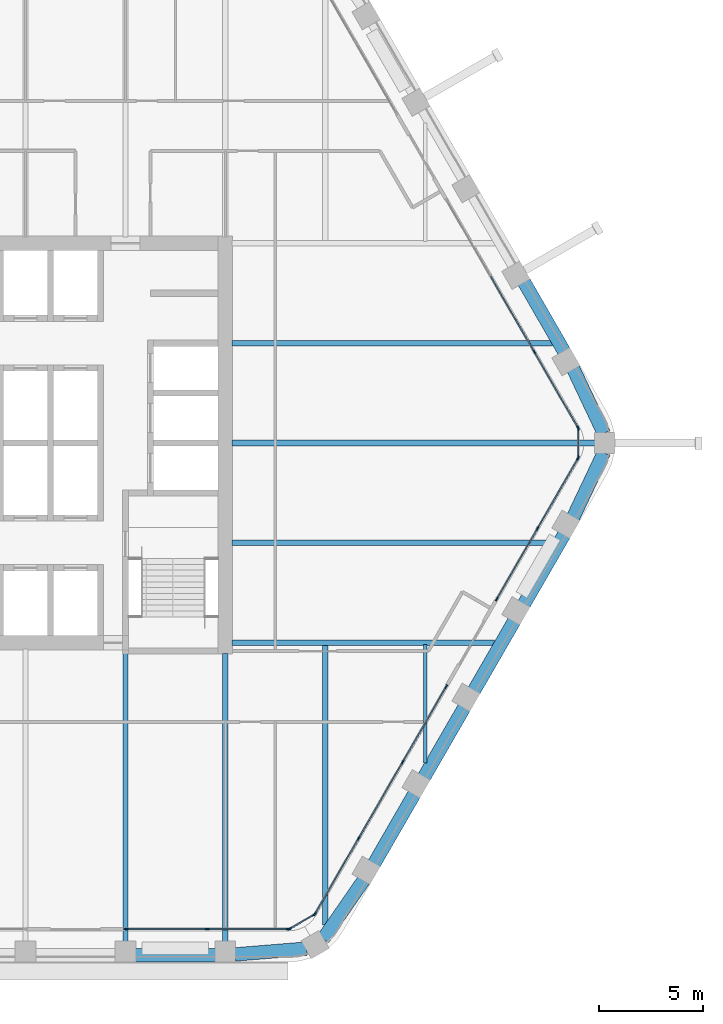
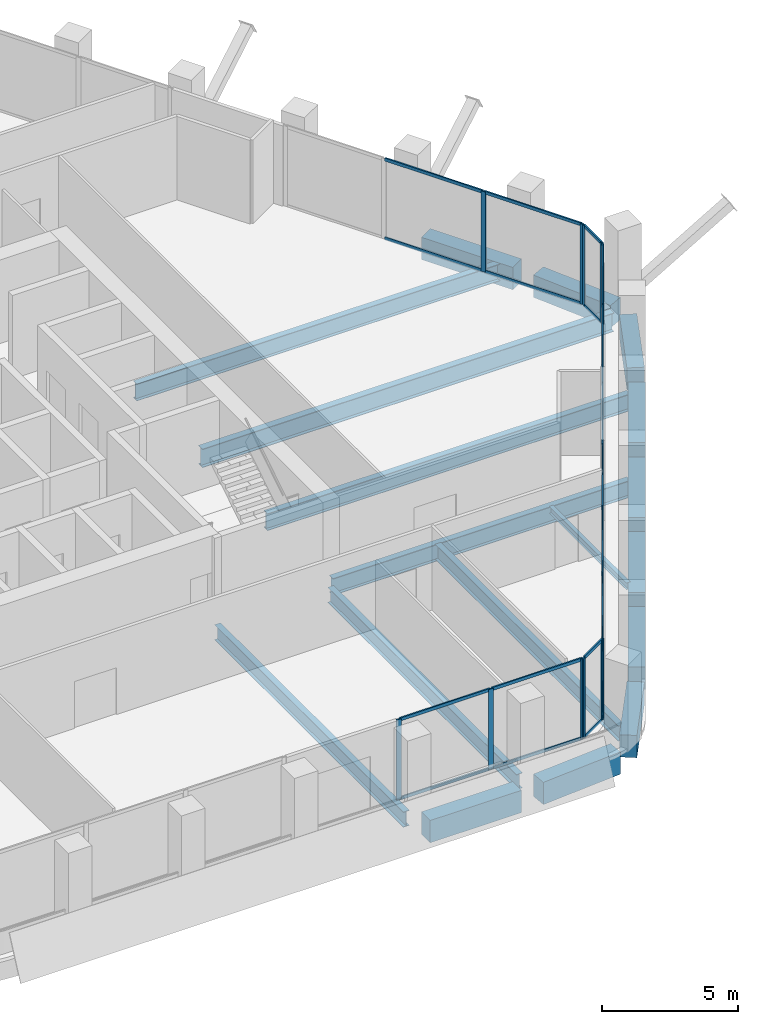
# One storey, part 4 of 16: 38 members, 18 beams, 6 elements without a shape of their own.
"""IFC4 building model written with IfcOpenShell, lengths in metres."""

from ifc_helpers import new_model, si_unit, direction, frame, origin, origin_2d, place, context, subcontext, project, spatial, rectangle, i_section, extrude, material, material_profile, profile_set, type_object, element, aggregate, save


model = new_model("IFC4")

# Units and contexts
model_context = context("Model", 3, precision=1e-05, world=origin(), true_north=direction((0.0, 1.0)))
body_context = subcontext(model_context, "Body", "Model", "MODEL_VIEW")
ifc_project = project(units=[si_unit("LENGTHUNIT", "METRE"), si_unit("AREAUNIT", "SQUARE_METRE"), si_unit("VOLUMEUNIT", "CUBIC_METRE"), si_unit("PLANEANGLEUNIT", "RADIAN"), si_unit("MASSUNIT", "GRAM", prefix="KILO")], contexts=[model_context])

# Site, building, storey
site_placement = place(None, origin())
site = spatial("IfcSite", under=ifc_project, at=site_placement, CompositionType="ELEMENT")
building_placement = place(site_placement, origin())
building = spatial("IfcBuilding", under=site, at=building_placement, Name="Kolab Exchange Tower", CompositionType="ELEMENT")
storey_placement = place(building_placement, frame((0.0, 0.0, 162.199951171875)))
storey = spatial("IfcBuildingStorey", under=building, at=storey_placement, Name="L33", CompositionType="ELEMENT", Elevation=162.199951171875)

# Beams
ifc_material_1 = material(Name="Steel S355", Category="steel")
ifc_material_profile_1 = material_profile(ifc_material_1, i_section(OverallWidth=0.1650390625, OverallDepth=0.31005859375, WebThickness=0.005859375, FlangeThickness=0.009765625, at=origin_2d()), Name="W310X39")
ifc_profile_set_1 = profile_set([ifc_material_profile_1], Name="Steel S355")
beam_type_1 = type_object("IfcBeamType", Name="FLOOR BEAM W310X39", PredefinedType="BEAM", material=ifc_profile_set_1)
beam_1_placement = place(storey_placement, frame((19.199951171875, -15.36767578125, -0.304931640625), z_axis=(0.0, 1.0, 0.0), x_axis=(-1.0, 0.0, 0.0)))
element("IfcBeam", 1, at=beam_1_placement, inside=storey, type_object=beam_type_1, Name="beam/L33/fr/022", PredefinedType="BEAM", context=body_context, shape_type="SweptSolid", body=[
    extrude(i_section(OverallWidth=0.1650390625, OverallDepth=0.31005859375, WebThickness=0.005859375, FlangeThickness=0.009765625, at=origin_2d()), origin(), (0.0, 0.0, 1.0), 5.674072265625),
])
ifc_material_profile_2 = material_profile(ifc_material_1, i_section(OverallWidth=0.25390625, OverallDepth=0.68408203125, WebThickness=0.012451171875, FlangeThickness=0.018798828125, at=origin_2d()), Name="W690X140")
ifc_profile_set_2 = profile_set([ifc_material_profile_2], Name="Steel S355")
beam_type_2 = type_object("IfcBeamType", Name="FLOOR BEAM W690X140", PredefinedType="BEAM", material=ifc_profile_set_2)
for number, where, z_axis, x_axis, name in (
    (2, (4.800048828125, -23.9814453125, -0.491943359375), (0.0, 1.0, 0.0), (-1.0, 0.0, 0.0), "beam/L33/fr/013"),
    (3, (9.60009765625, -23.9814453125, -0.491943359375), (0.0, 1.0, 0.0), (-1.0, 0.0, 0.0), "beam/L33/fr/015"),
):
    element("IfcBeam", number, at=place(storey_placement, frame(where, z_axis=z_axis, x_axis=x_axis)), inside=storey, type_object=beam_type_2, Name=name, PredefinedType="BEAM", context=body_context, shape_type="SweptSolid", body=[
        extrude(i_section(OverallWidth=0.25390625, OverallDepth=0.68408203125, WebThickness=0.012451171875, FlangeThickness=0.018798828125, at=origin_2d()), origin(), (0.0, 0.0, 1.0), 13.871337890625),
    ])
beam_2_placement = place(storey_placement, frame((14.39990234375, -23.15576171875, -0.491943359375), z_axis=(0.0, 1.0, 0.0), x_axis=(-1.0, 0.0, 0.0)))
element("IfcBeam", 4, at=beam_2_placement, inside=storey, type_object=beam_type_2, Name="beam/L33/fr/020", PredefinedType="BEAM", context=body_context, shape_type="SweptSolid", body=[
    extrude(i_section(OverallWidth=0.25390625, OverallDepth=0.68408203125, WebThickness=0.012451171875, FlangeThickness=0.018798828125, at=origin_2d()), origin(), (0.0, 0.0, 1.0), 13.462158203125),
])
ifc_material_profile_3 = material_profile(ifc_material_1, i_section(OverallWidth=0.26708984375, OverallDepth=0.761962890625, WebThickness=0.014404296875, FlangeThickness=0.021484375, at=origin_2d()), Name="W760X173")
ifc_profile_set_3 = profile_set([ifc_material_profile_3], Name="Steel S355")
beam_type_3 = type_object("IfcBeamType", Name="FLOOR BEAM W760X173", PredefinedType="BEAM", material=ifc_profile_set_3)
for number, where, z_axis, x_axis, name in (
    (5, (9.909912109375, -4.800048828125, -0.531005859375), (1.0, 0.0, 0.0), (0.0, 1.0, 0.0), "beam/L33/fr/017"),
    (6, (9.909912109375, 4.800048828125, -0.531005859375), (1.0, 0.0, 0.0), (0.0, 1.0, 0.0), "beam/L33/fr/019"),
):
    element("IfcBeam", number, at=place(storey_placement, frame(where, z_axis=z_axis, x_axis=x_axis)), inside=storey, type_object=beam_type_3, Name=name, PredefinedType="BEAM", context=body_context, shape_type="SweptSolid", body=[
        extrude(i_section(OverallWidth=0.26708984375, OverallDepth=0.761962890625, WebThickness=0.014404296875, FlangeThickness=0.021484375, at=origin_2d()), origin(), (0.0, 0.0, 1.0), 15.408203125),
    ])
ifc_material_profile_4 = material_profile(ifc_material_1, i_section(OverallWidth=0.2919921875, OverallDepth=0.840087890625, WebThickness=0.0146484375, FlangeThickness=0.021728515625, at=origin_2d()), Name="W840X193")
ifc_profile_set_4 = profile_set([ifc_material_profile_4], Name="Steel S355")
beam_type_4 = type_object("IfcBeamType", Name="FLOOR BEAM W840X193", PredefinedType="BEAM", material=ifc_profile_set_4)
beam_3_placement = place(storey_placement, frame((9.909912109375, 0.0, -0.570068359375), z_axis=(1.0, 0.0, 0.0), x_axis=(0.0, 1.0, 0.0)))
element("IfcBeam", 7, at=beam_3_placement, inside=storey, type_object=beam_type_4, Name="beam/L33/fr/018", PredefinedType="BEAM", context=body_context, shape_type="SweptSolid", body=[
    extrude(i_section(OverallWidth=0.2919921875, OverallDepth=0.840087890625, WebThickness=0.0146484375, FlangeThickness=0.021728515625, at=origin_2d()), origin(), (0.0, 0.0, 1.0), 17.466064453125),
])
ifc_material_profile_5 = material_profile(ifc_material_1, i_section(OverallWidth=0.26708984375, OverallDepth=0.761962890625, WebThickness=0.014404296875, FlangeThickness=0.021484375, at=origin_2d()), Name="W760X173")
ifc_profile_set_5 = profile_set([ifc_material_profile_5], Name="Steel S355")
beam_type_5 = type_object("IfcBeamType", Name="FLOOR GIRDER W760X173", PredefinedType="BEAM", material=ifc_profile_set_5)
beam_4_placement = place(storey_placement, frame((9.909912109375, -9.60009765625, -0.531005859375), z_axis=(1.0, 0.0, 0.0), x_axis=(0.0, 1.0, 0.0)))
element("IfcBeam", 8, at=beam_4_placement, inside=storey, type_object=beam_type_5, Name="beam/L33/gd/002", PredefinedType="BEAM", context=body_context, shape_type="SweptSolid", body=[
    extrude(i_section(OverallWidth=0.26708984375, OverallDepth=0.761962890625, WebThickness=0.014404296875, FlangeThickness=0.021484375, at=origin_2d()), origin(), (0.0, 0.0, 1.0), 12.636962890625),
])
ifc_material_2 = material(Name="Concrete C60/75", Category="concrete")
ifc_material_profile_6 = material_profile(ifc_material_2, rectangle(XDim=0.64990234375, YDim=1.0, at=origin_2d()), Name="RC650X1000")
ifc_profile_set_6 = profile_set([ifc_material_profile_6], Name="Concrete C60/75")
beam_type_6 = type_object("IfcBeamType", Name="SPANDREL BEAM 650X1000 C60/75", PredefinedType="BEAM", material=ifc_profile_set_6)
beam_5_placement = place(storey_placement, frame((23.948486328125, 7.7529296875, -0.64990234375), z_axis=(0.499996613652, -0.866027358884, 0.0), x_axis=(0.866027358884, 0.499996613652, 0.0)))
element("IfcBeam", 9, at=beam_5_placement, inside=storey, type_object=beam_type_6, Name="beam/L33/sp/F2-05", PredefinedType="BEAM", context=body_context, shape_type="SweptSolid", body=[
    extrude(rectangle(XDim=0.64990234375, YDim=1.0, at=origin_2d()), origin(), (0.0, 0.0, 1.0), 3.8798828125),
])
for number, where, z_axis, x_axis, name in (
    (10, (26.316162109375, 3.5771484375, -0.64990234375), (0.428177731975, -0.903694544545, 0.0), (0.903694544545, 0.428177731975, 0.0), "beam/L33/sp/F2-06"),
    (11, (27.791259765625, -0.4638671875, -0.64990234375), (-0.428177731975, -0.903694544545, 0.0), (0.903694544545, -0.428177731975, 0.0), "beam/L33/sp/F3-01"),
):
    element("IfcBeam", number, at=place(storey_placement, frame(where, z_axis=z_axis, x_axis=x_axis)), inside=storey, type_object=beam_type_6, Name=name, PredefinedType="BEAM", context=body_context, shape_type="SweptSolid", body=[
        extrude(rectangle(XDim=0.64990234375, YDim=1.0, at=origin_2d()), origin(), (0.0, 0.0, 1.0), 3.445068359375),
    ])
for number, where, z_axis, x_axis, name in (
    (12, (25.888427734375, -4.392822265625, -0.64990234375), (-0.499996613652, -0.866027358884, 0.0), (0.866027358884, -0.499996613652, 0.0), "beam/L33/sp/F3-02"),
    (13, (23.488525390625, -8.5498046875, -0.64990234375), (-0.499996613652, -0.866027358884, 0.0), (0.866027358884, -0.499996613652, 0.0), "beam/L33/sp/F3-03"),
):
    element("IfcBeam", number, at=place(storey_placement, frame(where, z_axis=z_axis, x_axis=x_axis)), inside=storey, type_object=beam_type_6, Name=name, PredefinedType="BEAM", context=body_context, shape_type="SweptSolid", body=[
        extrude(rectangle(XDim=0.64990234375, YDim=1.0, at=origin_2d()), origin(), (0.0, 0.0, 1.0), 3.8798828125),
    ])
beam_6_placement = place(storey_placement, frame((21.088623046875, -12.70654296875, -0.64990234375), z_axis=(-0.50001655835, -0.866015843605, 0.0), x_axis=(0.866015843605, -0.50001655835, 0.0)))
element("IfcBeam", 14, at=beam_6_placement, inside=storey, type_object=beam_type_6, Name="beam/L33/sp/F3-04", PredefinedType="BEAM", context=body_context, shape_type="SweptSolid", body=[
    extrude(rectangle(XDim=0.64990234375, YDim=1.0, at=origin_2d()), origin(), (0.0, 0.0, 1.0), 3.880126953125),
])
beam_7_placement = place(storey_placement, frame((18.6884765625, -16.863525390625, -0.64990234375), z_axis=(-0.499996613652, -0.866027358884, 0.0), x_axis=(0.866027358884, -0.499996613652, 0.0)))
element("IfcBeam", 15, at=beam_7_placement, inside=storey, type_object=beam_type_6, Name="beam/L33/sp/F3-05", PredefinedType="BEAM", context=body_context, shape_type="SweptSolid", body=[
    extrude(rectangle(XDim=0.64990234375, YDim=1.0, at=origin_2d()), origin(), (0.0, 0.0, 1.0), 3.8798828125),
])
for number, where, z_axis, x_axis, name in (
    (16, (16.256103515625, -21.001953125, -0.64990234375), (-0.568572281073, -0.822633309073, 0.0), (0.822633309073, -0.568572281073, 0.0), "beam/L33/sp/F3-06"),
    (17, (13.493896484375, -24.2998046875, -0.64990234375), (-0.996708497182, -0.081068931445, 0.0), (0.081068931445, -0.996708497182, 0.0), "beam/L33/sp/F4-01"),
):
    element("IfcBeam", number, at=place(storey_placement, frame(where, z_axis=z_axis, x_axis=x_axis)), inside=storey, type_object=beam_type_6, Name=name, PredefinedType="BEAM", context=body_context, shape_type="SweptSolid", body=[
        extrude(rectangle(XDim=0.64990234375, YDim=1.0, at=origin_2d()), origin(), (0.0, 0.0, 1.0), 3.445068359375),
    ])
beam_8_placement = place(storey_placement, frame((9.139892578125, -24.616455078125, -0.64990234375), z_axis=(-1.0, 0.0, 0.0), x_axis=(0.0, -1.0, 0.0)))
element("IfcBeam", 18, at=beam_8_placement, inside=storey, type_object=beam_type_6, Name="beam/L33/sp/F4-02", PredefinedType="BEAM", context=body_context, shape_type="SweptSolid", body=[
    extrude(rectangle(XDim=0.64990234375, YDim=1.0, at=origin_2d()), origin(), (0.0, 0.0, 1.0), 3.8798828125),
])

# Curtain wall, members
ifc_material_3 = material(Name="Aluminium EN AW-6063 T6", Category="aluminium")
curtain_wall_type = type_object("IfcCurtainWallType", Name="UNITISED UPPER MID ZONE CURTAIN WALL", PredefinedType="NOTDEFINED", material=ifc_material_3)
curtain_wall_1_placement = place(storey_placement, origin())
curtain_wall_1 = element("IfcCurtainWall", 19, at=curtain_wall_1_placement, inside=storey, type_object=curtain_wall_type, Name="cw/L33/F2-2", PredefinedType="NOTDEFINED")
ifc_material_profile_7 = material_profile(ifc_material_3, rectangle(XDim=0.06005859375, YDim=0.199951171875, at=origin_2d()), Name="RECT 60X200")
ifc_profile_set_7 = profile_set([ifc_material_profile_7], Name="Aluminium EN AW-6063 T6")
member_type_1 = type_object("IfcMemberType", Name="UNITISED UPPER MID ZONE MULLION 60 X 200", PredefinedType="MULLION", material=ifc_profile_set_7)
member_1_placement = place(storey_placement, frame((24.454345703125, 4.366943359375, 0.0), z_axis=(0.0, 0.0, 1.0), x_axis=(0.866025427826, 0.499999958358, 0.0)))
member_1 = element("IfcMember", 20, at=member_1_placement, type_object=member_type_1, Name="CW3 mullion 3", PredefinedType="MULLION", context=body_context, shape_type="SweptSolid", body=[
    extrude(rectangle(XDim=0.06005859375, YDim=0.199951171875, at=origin_2d()), origin(), (0.0, 0.0, 1.0), 3.60009765625),
])
member_2_placement = place(storey_placement, frame((26.550537109375, 0.736083984375, 0.0), z_axis=(0.0, 0.0, 1.0), x_axis=(0.866025427826, 0.499999958358, 0.0)))
member_2 = element("IfcMember", 21, at=member_2_placement, type_object=member_type_1, Name="CW3 mullion 4", PredefinedType="MULLION", context=body_context, shape_type="SweptSolid", body=[
    extrude(rectangle(XDim=0.06005859375, YDim=0.199951171875, at=origin_2d()), origin(), (0.0, 0.0, 1.0), 3.60009765625),
])

curtain_wall_2_placement = place(storey_placement, origin())
curtain_wall_2 = element("IfcCurtainWall", 22, at=curtain_wall_2_placement, inside=storey, type_object=curtain_wall_type, Name="cw/L33/F3-1", PredefinedType="NOTDEFINED")
member_3_placement = place(storey_placement, frame((26.550537109375, -0.736083984375, 0.0), z_axis=(0.0, 0.0, 1.0), x_axis=(0.866025440524, -0.499999936366, 0.0)))
member_3 = element("IfcMember", 23, at=member_3_placement, type_object=member_type_1, Name="CW3 mullion 1", PredefinedType="MULLION", context=body_context, shape_type="SweptSolid", body=[
    extrude(rectangle(XDim=0.06005859375, YDim=0.199951171875, at=origin_2d()), origin(), (0.0, 0.0, 1.0), 3.60009765625),
])
member_4_placement = place(storey_placement, frame((24.5986328125, -4.116943359375, 0.0), z_axis=(0.0, 0.0, 1.0), x_axis=(0.866025440524, -0.499999936366, 0.0)))
member_4 = element("IfcMember", 24, at=member_4_placement, type_object=member_type_1, Name="CW3 mullion 2", PredefinedType="MULLION", context=body_context, shape_type="SweptSolid", body=[
    extrude(rectangle(XDim=0.06005859375, YDim=0.199951171875, at=origin_2d()), origin(), (0.0, 0.0, 1.0), 3.60009765625),
])
member_5_placement = place(storey_placement, frame((22.646728515625, -7.497802734375, 0.0), z_axis=(0.0, 0.0, 1.0), x_axis=(0.866025440524, -0.499999936366, 0.0)))
member_5 = element("IfcMember", 25, at=member_5_placement, type_object=member_type_1, Name="CW3 mullion 3", PredefinedType="MULLION", context=body_context, shape_type="SweptSolid", body=[
    extrude(rectangle(XDim=0.06005859375, YDim=0.199951171875, at=origin_2d()), origin(), (0.0, 0.0, 1.0), 3.60009765625),
])

curtain_wall_3_placement = place(storey_placement, origin())
curtain_wall_3 = element("IfcCurtainWall", 26, at=curtain_wall_3_placement, inside=storey, type_object=curtain_wall_type, Name="cw/L33/F3-2", PredefinedType="NOTDEFINED")
member_6_placement = place(storey_placement, frame((20.216796875, -11.706787109375, 0.0), z_axis=(0.0, 0.0, 1.0), x_axis=(0.866025393644, -0.500000017564, 0.0)))
member_6 = element("IfcMember", 27, at=member_6_placement, type_object=member_type_1, Name="CW3 mullion 1", PredefinedType="MULLION", context=body_context, shape_type="SweptSolid", body=[
    extrude(rectangle(XDim=0.06005859375, YDim=0.199951171875, at=origin_2d()), origin(), (0.0, 0.0, 1.0), 3.60009765625),
])
member_7_placement = place(storey_placement, frame((18.120361328125, -15.337646484375, 0.0), z_axis=(0.0, 0.0, 1.0), x_axis=(0.866025393644, -0.500000017564, 0.0)))
member_7 = element("IfcMember", 28, at=member_7_placement, type_object=member_type_1, Name="CW3 mullion 2", PredefinedType="MULLION", context=body_context, shape_type="SweptSolid", body=[
    extrude(rectangle(XDim=0.06005859375, YDim=0.199951171875, at=origin_2d()), origin(), (0.0, 0.0, 1.0), 3.60009765625),
])
member_8_placement = place(storey_placement, frame((16.009033203125, -18.99462890625, 0.0), z_axis=(0.0, 0.0, 1.0), x_axis=(0.866025393644, -0.500000017564, 0.0)))
member_8 = element("IfcMember", 29, at=member_8_placement, type_object=member_type_1, Name="CW3 mullion 3", PredefinedType="MULLION", context=body_context, shape_type="SweptSolid", body=[
    extrude(rectangle(XDim=0.06005859375, YDim=0.199951171875, at=origin_2d()), origin(), (0.0, 0.0, 1.0), 3.60009765625),
])
member_9_placement = place(storey_placement, frame((13.91259765625, -22.62548828125, 0.0), z_axis=(0.0, 0.0, 1.0), x_axis=(0.866025393644, -0.500000017564, 0.0)))
member_9 = element("IfcMember", 30, at=member_9_placement, type_object=member_type_1, Name="CW3 mullion 4", PredefinedType="MULLION", context=body_context, shape_type="SweptSolid", body=[
    extrude(rectangle(XDim=0.06005859375, YDim=0.199951171875, at=origin_2d()), origin(), (0.0, 0.0, 1.0), 3.60009765625),
])

curtain_wall_4_placement = place(storey_placement, origin())
curtain_wall_4 = element("IfcCurtainWall", 31, at=curtain_wall_4_placement, inside=storey, type_object=curtain_wall_type, Name="cw/L33/F4-1", PredefinedType="NOTDEFINED")
member_10_placement = place(storey_placement, frame((12.637939453125, -23.361572265625, 0.0), z_axis=(0.0, 0.0, 1.0), x_axis=(0.0, -1.0, 0.0)))
member_10 = element("IfcMember", 32, at=member_10_placement, type_object=member_type_1, Name="CW3 mullion 1", PredefinedType="MULLION", context=body_context, shape_type="SweptSolid", body=[
    extrude(rectangle(XDim=0.06005859375, YDim=0.199951171875, at=origin_2d()), origin(), (0.0, 0.0, 1.0), 3.60009765625),
])
member_11_placement = place(storey_placement, frame((8.73388671875, -23.361572265625, 0.0), z_axis=(0.0, 0.0, 1.0), x_axis=(0.0, -1.0, 0.0)))
member_11 = element("IfcMember", 33, at=member_11_placement, type_object=member_type_1, Name="CW3 mullion 2", PredefinedType="MULLION", context=body_context, shape_type="SweptSolid", body=[
    extrude(rectangle(XDim=0.06005859375, YDim=0.199951171875, at=origin_2d()), origin(), (0.0, 0.0, 1.0), 3.60009765625),
])
member_12_placement = place(storey_placement, frame((4.830078125, -23.361572265625, 0.0), z_axis=(0.0, 0.0, 1.0), x_axis=(0.0, -1.0, 0.0)))
member_12 = element("IfcMember", 34, at=member_12_placement, type_object=member_type_1, Name="CW3 mullion 3", PredefinedType="MULLION", context=body_context, shape_type="SweptSolid", body=[
    extrude(rectangle(XDim=0.06005859375, YDim=0.199951171875, at=origin_2d()), origin(), (0.0, 0.0, 1.0), 3.60009765625),
])

curtain_wall_5_placement = place(storey_placement, origin())
curtain_wall_5 = element("IfcCurtainWall", 35, at=curtain_wall_5_placement, inside=storey, type_object=curtain_wall_type, Name="cw/L33/F2F3-corner", PredefinedType="NOTDEFINED")
member_13_placement = place(storey_placement, frame((26.565673828125, 0.679931640625, 0.0), z_axis=(0.0, 0.0, 1.0), x_axis=(1.0, 0.0, 0.0)))
member_13 = element("IfcMember", 36, at=member_13_placement, type_object=member_type_1, Name="CW3 mullion 1", PredefinedType="MULLION", context=body_context, shape_type="SweptSolid", body=[
    extrude(rectangle(XDim=0.06005859375, YDim=0.199951171875, at=origin_2d()), origin(), (0.0, 0.0, 1.0), 3.60009765625),
])
member_14_placement = place(storey_placement, frame((26.565673828125, -0.679931640625, 0.0), z_axis=(0.0, 0.0, 1.0), x_axis=(1.0, 0.0, 0.0)))
member_14 = element("IfcMember", 37, at=member_14_placement, type_object=member_type_1, Name="CW3 mullion 2", PredefinedType="MULLION", context=body_context, shape_type="SweptSolid", body=[
    extrude(rectangle(XDim=0.06005859375, YDim=0.199951171875, at=origin_2d()), origin(), (0.0, 0.0, 1.0), 3.60009765625),
])

curtain_wall_6_placement = place(storey_placement, origin())
curtain_wall_6 = element("IfcCurtainWall", 38, at=curtain_wall_6_placement, inside=storey, type_object=curtain_wall_type, Name="cw/L33/F3F4-corner", PredefinedType="NOTDEFINED")
member_15_placement = place(storey_placement, frame((13.871826171875, -22.66650390625, 0.0), z_axis=(0.0, 0.0, 1.0), x_axis=(0.50000002237, -0.866025390869, 0.0)))
member_15 = element("IfcMember", 39, at=member_15_placement, type_object=member_type_1, Name="CW3 mullion 1", PredefinedType="MULLION", context=body_context, shape_type="SweptSolid", body=[
    extrude(rectangle(XDim=0.06005859375, YDim=0.199951171875, at=origin_2d()), origin(), (0.0, 0.0, 1.0), 3.60009765625),
])
member_16_placement = place(storey_placement, frame((12.69384765625, -23.346435546875, 0.0), z_axis=(0.0, 0.0, 1.0), x_axis=(0.50000002237, -0.866025390869, 0.0)))
member_16 = element("IfcMember", 40, at=member_16_placement, type_object=member_type_1, Name="CW3 mullion 2", PredefinedType="MULLION", context=body_context, shape_type="SweptSolid", body=[
    extrude(rectangle(XDim=0.06005859375, YDim=0.199951171875, at=origin_2d()), origin(), (0.0, 0.0, 1.0), 3.60009765625),
])

# Member
ifc_material_profile_8 = material_profile(ifc_material_3, rectangle(XDim=0.06005859375, YDim=0.139892578125, at=origin_2d()), Name="RECT 60X140")
ifc_profile_set_8 = profile_set([ifc_material_profile_8], Name="Aluminium EN AW-6063 T6")
member_type_2 = type_object("IfcMemberType", Name="UNITISED UPPER MID ZONE TRANSOM 60 X 140", PredefinedType="USERDEFINED", material=ifc_profile_set_8)
member_17_placement = place(storey_placement, frame((22.35791015625, 7.997802734375, 0.030029296875), z_axis=(0.49999322259, -0.866029316688, 0.0), x_axis=(0.866029316688, 0.49999322259, 0.0)))
member_17 = element("IfcMember", 41, at=member_17_placement, type_object=member_type_2, Name="CW3 transom 2.1", ObjectType="TRANSOM", PredefinedType="USERDEFINED", context=body_context, shape_type="SweptSolid", body=[
    extrude(rectangle(XDim=0.06005859375, YDim=0.139892578125, at=origin_2d()), origin(), (0.0, 0.0, 1.0), 4.16259765625),
])

member_18_placement = place(storey_placement, frame((22.35791015625, 7.997802734375, 3.570068359375), z_axis=(0.49999322259, -0.866029316688, 0.0), x_axis=(0.866029316688, 0.49999322259, 0.0)))
member_18 = element("IfcMember", 42, at=member_18_placement, type_object=member_type_2, Name="CW3 transom 2.2", ObjectType="TRANSOM", PredefinedType="USERDEFINED", context=body_context, shape_type="SweptSolid", body=[
    extrude(rectangle(XDim=0.06005859375, YDim=0.139892578125, at=origin_2d()), origin(), (0.0, 0.0, 1.0), 4.16259765625),
])

member_19_placement = place(storey_placement, frame((24.46923828125, 4.3408203125, 0.030029296875), z_axis=(0.500027577057, -0.866009481578, 0.0), x_axis=(0.866009481578, 0.500027577057, 0.0)))
member_19 = element("IfcMember", 43, at=member_19_placement, type_object=member_type_2, Name="CW3 transom 3.1", ObjectType="TRANSOM", PredefinedType="USERDEFINED", context=body_context, shape_type="SweptSolid", body=[
    extrude(rectangle(XDim=0.06005859375, YDim=0.139892578125, at=origin_2d()), origin(), (0.0, 0.0, 1.0), 4.132568359375),
])

member_20_placement = place(storey_placement, frame((24.46923828125, 4.3408203125, 3.570068359375), z_axis=(0.500027577057, -0.866009481578, 0.0), x_axis=(0.866009481578, 0.500027577057, 0.0)))
member_20 = element("IfcMember", 44, at=member_20_placement, type_object=member_type_2, Name="CW3 transom 3.2", ObjectType="TRANSOM", PredefinedType="USERDEFINED", context=body_context, shape_type="SweptSolid", body=[
    extrude(rectangle(XDim=0.06005859375, YDim=0.139892578125, at=origin_2d()), origin(), (0.0, 0.0, 1.0), 4.132568359375),
])

aggregate(curtain_wall_1, [member_1, member_2, member_17, member_18, member_19, member_20])

member_21_placement = place(storey_placement, frame((26.53564453125, -0.761962890625, 0.030029296875), z_axis=(-0.499991857942, -0.866030104553, 0.0), x_axis=(0.866030104553, -0.499991857942, 0.0)))
member_21 = element("IfcMember", 45, at=member_21_placement, type_object=member_type_2, Name="CW3 transom 1.1", ObjectType="TRANSOM", PredefinedType="USERDEFINED", context=body_context, shape_type="SweptSolid", body=[
    extrude(rectangle(XDim=0.06005859375, YDim=0.139892578125, at=origin_2d()), origin(), (0.0, 0.0, 1.0), 3.84375),
])

member_22_placement = place(storey_placement, frame((26.53564453125, -0.761962890625, 3.570068359375), z_axis=(-0.499991857942, -0.866030104553, 0.0), x_axis=(0.866030104553, -0.499991857942, 0.0)))
member_22 = element("IfcMember", 46, at=member_22_placement, type_object=member_type_2, Name="CW3 transom 1.2", ObjectType="TRANSOM", PredefinedType="USERDEFINED", context=body_context, shape_type="SweptSolid", body=[
    extrude(rectangle(XDim=0.06005859375, YDim=0.139892578125, at=origin_2d()), origin(), (0.0, 0.0, 1.0), 3.84375),
])

member_23_placement = place(storey_placement, frame((24.583740234375, -4.142822265625, 0.030029296875), z_axis=(-0.500011990396, -0.866018481016, 0.0), x_axis=(0.866018481016, -0.500011990396, 0.0)))
member_23 = element("IfcMember", 47, at=member_23_placement, type_object=member_type_2, Name="CW3 transom 2.1", ObjectType="TRANSOM", PredefinedType="USERDEFINED", context=body_context, shape_type="SweptSolid", body=[
    extrude(rectangle(XDim=0.06005859375, YDim=0.139892578125, at=origin_2d()), origin(), (0.0, 0.0, 1.0), 3.84423828125),
])

member_24_placement = place(storey_placement, frame((24.583740234375, -4.142822265625, 3.570068359375), z_axis=(-0.500011990396, -0.866018481016, 0.0), x_axis=(0.866018481016, -0.500011990396, 0.0)))
member_24 = element("IfcMember", 48, at=member_24_placement, type_object=member_type_2, Name="CW3 transom 2.2", ObjectType="TRANSOM", PredefinedType="USERDEFINED", context=body_context, shape_type="SweptSolid", body=[
    extrude(rectangle(XDim=0.06005859375, YDim=0.139892578125, at=origin_2d()), origin(), (0.0, 0.0, 1.0), 3.84423828125),
])

aggregate(curtain_wall_2, [member_3, member_4, member_5, member_21, member_22, member_23, member_24])

member_25_placement = place(storey_placement, frame((20.20166015625, -11.732666015625, 0.030029296875), z_axis=(-0.500001996123, -0.866024251319, 0.0), x_axis=(0.866024251319, -0.500001996123, 0.0)))
member_25 = element("IfcMember", 49, at=member_25_placement, type_object=member_type_2, Name="CW3 transom 1.1", ObjectType="TRANSOM", PredefinedType="USERDEFINED", context=body_context, shape_type="SweptSolid", body=[
    extrude(rectangle(XDim=0.06005859375, YDim=0.139892578125, at=origin_2d()), origin(), (0.0, 0.0, 1.0), 4.1328125),
])

member_26_placement = place(storey_placement, frame((20.20166015625, -11.732666015625, 3.570068359375), z_axis=(-0.500001996123, -0.866024251319, 0.0), x_axis=(0.866024251319, -0.500001996123, 0.0)))
member_26 = element("IfcMember", 50, at=member_26_placement, type_object=member_type_2, Name="CW3 transom 1.2", ObjectType="TRANSOM", PredefinedType="USERDEFINED", context=body_context, shape_type="SweptSolid", body=[
    extrude(rectangle(XDim=0.06005859375, YDim=0.139892578125, at=origin_2d()), origin(), (0.0, 0.0, 1.0), 4.1328125),
])

member_27_placement = place(storey_placement, frame((18.10546875, -15.36376953125, 0.030029296875), z_axis=(-0.500037208726, -0.86600392025, 0.0), x_axis=(0.86600392025, -0.500037208726, 0.0)))
member_27 = element("IfcMember", 51, at=member_27_placement, type_object=member_type_2, Name="CW3 transom 2.1", ObjectType="TRANSOM", PredefinedType="USERDEFINED", context=body_context, shape_type="SweptSolid", body=[
    extrude(rectangle(XDim=0.06005859375, YDim=0.139892578125, at=origin_2d()), origin(), (0.0, 0.0, 1.0), 4.162841796875),
])

member_28_placement = place(storey_placement, frame((18.10546875, -15.36376953125, 3.570068359375), z_axis=(-0.500037208726, -0.86600392025, 0.0), x_axis=(0.86600392025, -0.500037208726, 0.0)))
member_28 = element("IfcMember", 52, at=member_28_placement, type_object=member_type_2, Name="CW3 transom 2.2", ObjectType="TRANSOM", PredefinedType="USERDEFINED", context=body_context, shape_type="SweptSolid", body=[
    extrude(rectangle(XDim=0.06005859375, YDim=0.139892578125, at=origin_2d()), origin(), (0.0, 0.0, 1.0), 4.162841796875),
])

member_29_placement = place(storey_placement, frame((15.994140625, -19.0205078125, 0.030029296875), z_axis=(-0.500001996123, -0.866024251319, 0.0), x_axis=(0.866024251319, -0.500001996123, 0.0)))
member_29 = element("IfcMember", 53, at=member_29_placement, type_object=member_type_2, Name="CW3 transom 3.1", ObjectType="TRANSOM", PredefinedType="USERDEFINED", context=body_context, shape_type="SweptSolid", body=[
    extrude(rectangle(XDim=0.06005859375, YDim=0.139892578125, at=origin_2d()), origin(), (0.0, 0.0, 1.0), 4.1328125),
])

member_30_placement = place(storey_placement, frame((15.994140625, -19.0205078125, 3.570068359375), z_axis=(-0.500001996123, -0.866024251319, 0.0), x_axis=(0.866024251319, -0.500001996123, 0.0)))
member_30 = element("IfcMember", 54, at=member_30_placement, type_object=member_type_2, Name="CW3 transom 3.2", ObjectType="TRANSOM", PredefinedType="USERDEFINED", context=body_context, shape_type="SweptSolid", body=[
    extrude(rectangle(XDim=0.06005859375, YDim=0.139892578125, at=origin_2d()), origin(), (0.0, 0.0, 1.0), 4.1328125),
])

aggregate(curtain_wall_3, [member_6, member_7, member_8, member_9, member_25, member_26, member_27, member_28, member_29, member_30])

member_31_placement = place(storey_placement, frame((12.60791015625, -23.361572265625, 0.030029296875), z_axis=(-1.0, 0.0, 0.0), x_axis=(0.0, -1.0, 0.0)))
member_31 = element("IfcMember", 55, at=member_31_placement, type_object=member_type_2, Name="CW3 transom 1.1", ObjectType="TRANSOM", PredefinedType="USERDEFINED", context=body_context, shape_type="SweptSolid", body=[
    extrude(rectangle(XDim=0.06005859375, YDim=0.139892578125, at=origin_2d()), origin(), (0.0, 0.0, 1.0), 3.843994140625),
])

member_32_placement = place(storey_placement, frame((12.60791015625, -23.361572265625, 3.570068359375), z_axis=(-1.0, 0.0, 0.0), x_axis=(0.0, -1.0, 0.0)))
member_32 = element("IfcMember", 56, at=member_32_placement, type_object=member_type_2, Name="CW3 transom 1.2", ObjectType="TRANSOM", PredefinedType="USERDEFINED", context=body_context, shape_type="SweptSolid", body=[
    extrude(rectangle(XDim=0.06005859375, YDim=0.139892578125, at=origin_2d()), origin(), (0.0, 0.0, 1.0), 3.843994140625),
])

member_33_placement = place(storey_placement, frame((8.703857421875, -23.361572265625, 0.030029296875), z_axis=(-1.0, 0.0, 0.0), x_axis=(0.0, -1.0, 0.0)))
member_33 = element("IfcMember", 57, at=member_33_placement, type_object=member_type_2, Name="CW3 transom 2.1", ObjectType="TRANSOM", PredefinedType="USERDEFINED", context=body_context, shape_type="SweptSolid", body=[
    extrude(rectangle(XDim=0.06005859375, YDim=0.139892578125, at=origin_2d()), origin(), (0.0, 0.0, 1.0), 3.84375),
])

member_34_placement = place(storey_placement, frame((8.703857421875, -23.361572265625, 3.570068359375), z_axis=(-1.0, 0.0, 0.0), x_axis=(0.0, -1.0, 0.0)))
member_34 = element("IfcMember", 58, at=member_34_placement, type_object=member_type_2, Name="CW3 transom 2.2", ObjectType="TRANSOM", PredefinedType="USERDEFINED", context=body_context, shape_type="SweptSolid", body=[
    extrude(rectangle(XDim=0.06005859375, YDim=0.139892578125, at=origin_2d()), origin(), (0.0, 0.0, 1.0), 3.84375),
])

aggregate(curtain_wall_4, [member_10, member_11, member_12, member_31, member_32, member_33, member_34])

member_35_placement = place(storey_placement, frame((26.565673828125, 0.64990234375, 0.030029296875), z_axis=(0.0, -1.0, 0.0), x_axis=(1.0, 0.0, 0.0)))
member_35 = element("IfcMember", 59, at=member_35_placement, type_object=member_type_2, Name="CW3 transom 1.1", ObjectType="TRANSOM", PredefinedType="USERDEFINED", context=body_context, shape_type="SweptSolid", body=[
    extrude(rectangle(XDim=0.06005859375, YDim=0.139892578125, at=origin_2d()), origin(), (0.0, 0.0, 1.0), 1.2998046875),
])

member_36_placement = place(storey_placement, frame((26.565673828125, 0.64990234375, 3.570068359375), z_axis=(0.0, -1.0, 0.0), x_axis=(1.0, 0.0, 0.0)))
member_36 = element("IfcMember", 60, at=member_36_placement, type_object=member_type_2, Name="CW3 transom 1.2", ObjectType="TRANSOM", PredefinedType="USERDEFINED", context=body_context, shape_type="SweptSolid", body=[
    extrude(rectangle(XDim=0.06005859375, YDim=0.139892578125, at=origin_2d()), origin(), (0.0, 0.0, 1.0), 1.2998046875),
])

aggregate(curtain_wall_5, [member_13, member_14, member_35, member_36])

member_37_placement = place(storey_placement, frame((13.845703125, -22.681640625, 0.030029296875), z_axis=(-0.86603858612, -0.49997716683, 0.0), x_axis=(0.49997716683, -0.86603858612, 0.0)))
member_37 = element("IfcMember", 61, at=member_37_placement, type_object=member_type_2, Name="CW3 transom 1.1", ObjectType="TRANSOM", PredefinedType="USERDEFINED", context=body_context, shape_type="SweptSolid", body=[
    extrude(rectangle(XDim=0.06005859375, YDim=0.139892578125, at=origin_2d()), origin(), (0.0, 0.0, 1.0), 1.2998046875),
])

member_38_placement = place(storey_placement, frame((13.845703125, -22.681640625, 3.570068359375), z_axis=(-0.86603858612, -0.49997716683, 0.0), x_axis=(0.49997716683, -0.86603858612, 0.0)))
member_38 = element("IfcMember", 62, at=member_38_placement, type_object=member_type_2, Name="CW3 transom 1.2", ObjectType="TRANSOM", PredefinedType="USERDEFINED", context=body_context, shape_type="SweptSolid", body=[
    extrude(rectangle(XDim=0.06005859375, YDim=0.139892578125, at=origin_2d()), origin(), (0.0, 0.0, 1.0), 1.2998046875),
])

aggregate(curtain_wall_6, [member_15, member_16, member_37, member_38])

save(model, "model.ifc")
